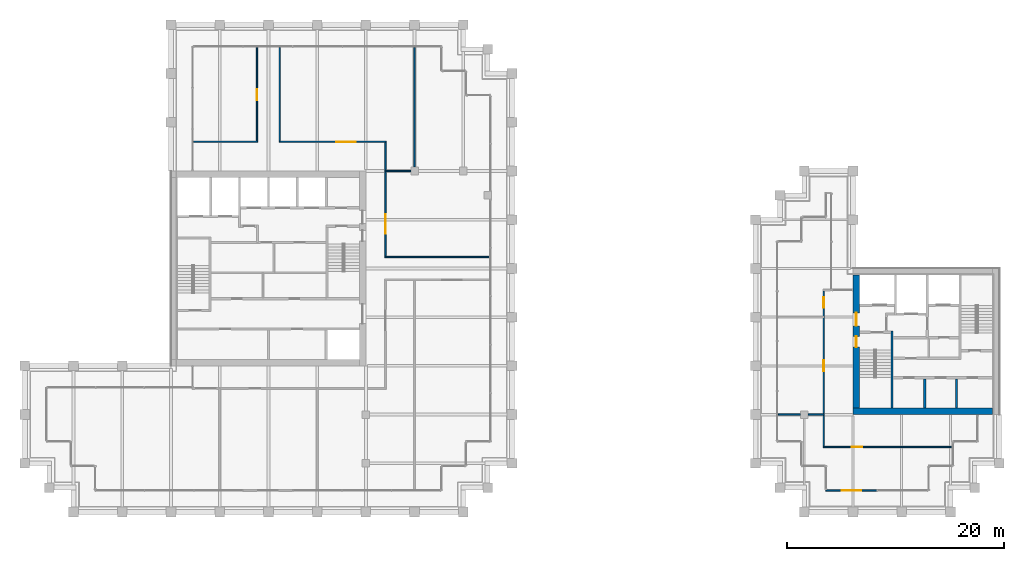
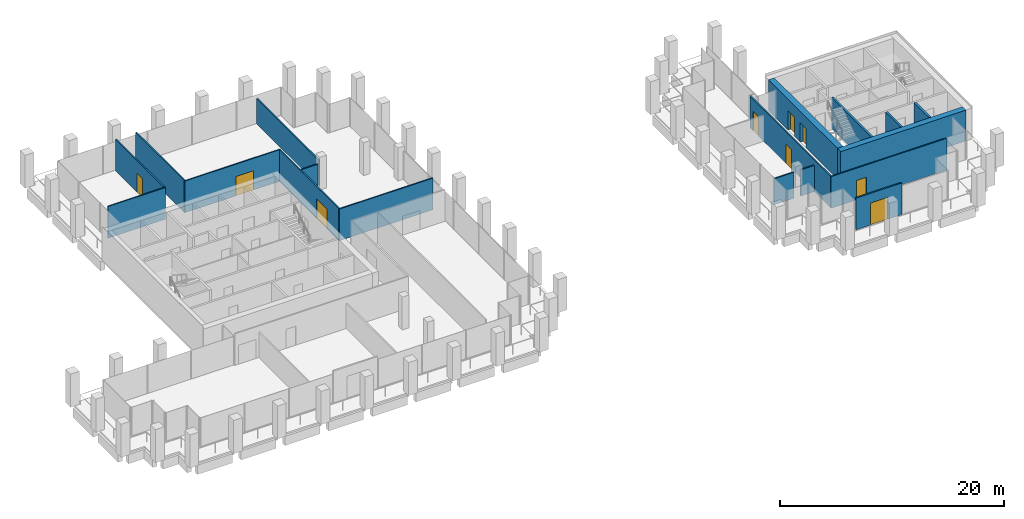
# One storey, part 37 of 40: 18 walls, 9 doors, 9 openings.
"""IFC4 building model written with IfcOpenShell, lengths in metres."""

from ifc_helpers import new_model, si_unit, direction, frame, frame_2d, origin, place, context, subcontext, project, spatial, rectangle, extrude, material, layer, layer_set, type_object, element, fill, save


model = new_model("IFC4")

# Units and contexts
model_context = context("Model", 3, precision=1e-05, world=origin(), true_north=direction((0.0, 1.0)))
body_context = subcontext(model_context, "Body", "Model", "MODEL_VIEW")
ifc_project = project(units=[si_unit("LENGTHUNIT", "METRE"), si_unit("AREAUNIT", "SQUARE_METRE"), si_unit("VOLUMEUNIT", "CUBIC_METRE"), si_unit("PLANEANGLEUNIT", "RADIAN"), si_unit("MASSUNIT", "GRAM", prefix="KILO")], contexts=[model_context])

# Site, building, storey
site_placement = place(None, origin())
site = spatial("IfcSite", under=ifc_project, at=site_placement, CompositionType="ELEMENT")
building_placement = place(site_placement, origin())
building = spatial("IfcBuilding", under=site, at=building_placement, Name="Altepetl Exchange Towers", CompositionType="ELEMENT")
storey_placement = place(building_placement, frame((0.0, 0.0, 158.199951171875)))
storey = spatial("IfcBuildingStorey", under=building, at=storey_placement, Name="L39", CompositionType="ELEMENT", Elevation=158.199951171875)

# Wall
ifc_material_1 = material(Name="Concrete C70/85", Category="concrete")
ifc_layer_1 = layer(ifc_material_1, 0.60009765625)
ifc_layer_set_1 = layer_set([ifc_layer_1], Name="Concrete C70/85")
wall_type_1 = type_object("IfcWallType", Name="Core wall 600 reinforced concrete", PredefinedType="SHEAR", material=ifc_layer_set_1)
wall_1_placement = place(storey_placement, frame((103.5, 36.300048828125, 0.0)))
element("IfcWall", 1, at=wall_1_placement, inside=storey, type_object=wall_type_1, Name="wall:B:L39:K-coreS", PredefinedType="SHEAR", context=body_context, shape_type="SweptSolid", body=[
    extrude(rectangle(XDim=12.89990234375, YDim=0.60009765625, at=frame_2d((6.449951171875, 0.0))), origin(), (0.0, 0.0, 1.0), 3.35009765625),
])

# Wall, openings, doors
wall_2_placement = place(storey_placement, frame((103.800048828125, 36.60009765625, 0.0), z_axis=(0.0, 0.0, 1.0), x_axis=(0.0, 1.0, 0.0)))
wall_2 = element("IfcWall", 2, at=wall_2_placement, inside=storey, type_object=wall_type_1, Name="wall:B:L39:K-coreW", PredefinedType="SHEAR", context=body_context, shape_type="SweptSolid", body=[
    extrude(rectangle(XDim=12.2998046875, YDim=0.60009765625, at=frame_2d((6.14990234375, 0.0))), origin(), (0.0, 0.0, 1.0), 3.35009765625),
])
opening_1_placement = place(wall_2_placement, frame((7.60009765625, 0.0, 0.0)))
opening_1 = element("IfcOpeningElement", 3, at=opening_1_placement, cuts=wall_2, Name="Opening L39.B60", PredefinedType="OPENING", context=body_context, shape_type="SweptSolid", body=[
    extrude(rectangle(XDim=1.199951171875, YDim=2.10009765625, at=frame_2d((0.60009765625, 1.050048828125))), frame((0.0, 0.31005859375, 0.0), z_axis=(0.0, -1.0, 0.0), x_axis=(1.0, 0.0, 0.0)), (0.0, 0.0, 1.0), 0.6201171875),
])
opening_2_placement = place(wall_2_placement, frame((5.625, 0.0, 0.0)))
opening_2 = element("IfcOpeningElement", 4, at=opening_2_placement, cuts=wall_2, Name="Opening L39.B62", PredefinedType="OPENING", context=body_context, shape_type="SweptSolid", body=[
    extrude(rectangle(XDim=1.0, YDim=2.10009765625, at=frame_2d((0.5, 1.050048828125))), frame((0.0, 0.31005859375, 0.0), z_axis=(0.0, -1.0, 0.0), x_axis=(1.0, 0.0, 0.0)), (0.0, 0.0, 1.0), 0.6201171875),
])
ifc_material_2 = material(Name="Steel and timber fire door", Category="steel")
door_type_1 = type_object("IfcDoorType", Name="Fire door 1000 x 2100 stair and lobby", OperationType="SINGLE_SWING_LEFT", PredefinedType="DOOR", material=ifc_material_2)
door_1_placement = place(opening_2_placement, frame((1.0, 0.0, 0.0), x_axis=(-1.0, 0.0, 0.0)))
door_1 = element("IfcDoor", 5, at=door_1_placement, inside=storey, type_object=door_type_1, Name="door:B:L39:K-dS1x", OperationType="SINGLE_SWING_RIGHT", OverallHeight=2.10009765625, OverallWidth=1.0, PredefinedType="DOOR", context=body_context, shape_type="SweptSolid", body=[
    extrude(rectangle(XDim=1.0, YDim=2.10009765625, at=frame_2d((0.5, 1.050048828125))), frame((0.0, 0.02490234375, 0.0), z_axis=(0.0, -1.0, 0.0), x_axis=(1.0, 0.0, 0.0)), (0.0, 0.0, 1.0), 0.050048828125),
])
fill(opening_2, door_1)
door_type_2 = type_object("IfcDoorType", Name="Fire door 1200 x 2100 lobby entry", OperationType="SINGLE_SWING_LEFT", PredefinedType="DOOR", material=ifc_material_2)
door_2_placement = place(opening_1_placement, frame((1.199951171875, 0.0, 0.0), x_axis=(-1.0, 0.0, 0.0)))
door_2 = element("IfcDoor", 6, at=door_2_placement, inside=storey, type_object=door_type_2, Name="door:B:L39:K-dLNW", OperationType="SINGLE_SWING_RIGHT", OverallHeight=2.10009765625, OverallWidth=1.199951171875, PredefinedType="DOOR", context=body_context, shape_type="SweptSolid", body=[
    extrude(rectangle(XDim=1.199951171875, YDim=2.10009765625, at=frame_2d((0.60009765625, 1.050048828125))), frame((0.0, 0.02490234375, 0.0), z_axis=(0.0, -1.0, 0.0), x_axis=(1.0, 0.0, 0.0)), (0.0, 0.0, 1.0), 0.050048828125),
])
fill(opening_1, door_2)

# Wall, opening, door
ifc_material_3 = material(Name="Aluminium composite cladding", Category="aluminium")
ifc_layer_2 = layer(ifc_material_3, 0.14990234375)
ifc_layer_set_2 = layer_set([ifc_layer_2], Name="Aluminium composite cladding")
wall_type_2 = type_object("IfcWallType", Name="Infill wall 150 aluminium panel", PredefinedType="SOLIDWALL", material=ifc_layer_set_2)
wall_3_placement = place(storey_placement, frame((101.0, 29.0, 0.0)))
wall_3 = element("IfcWall", 7, at=wall_3_placement, inside=storey, type_object=wall_type_2, Name="Loggia door bay wall", PredefinedType="SOLIDWALL", context=body_context, shape_type="SweptSolid", body=[
    extrude(rectangle(XDim=4.71240234375, YDim=0.14990234375, at=frame_2d((2.356201171875, 0.0))), origin(), (0.0, 0.0, 1.0), 3.449951171875),
])
opening_3_placement = place(wall_3_placement, frame((1.456298828125, 0.0, 0.0)))
opening_3 = element("IfcOpeningElement", 8, at=opening_3_placement, cuts=wall_3, Name="Opening L39.B90", PredefinedType="OPENING", context=body_context, shape_type="SweptSolid", body=[
    extrude(rectangle(XDim=1.800048828125, YDim=2.39990234375, at=frame_2d((0.89990234375, 1.199951171875))), frame((0.0, 0.0849609375, 0.0), z_axis=(0.0, -1.0, 0.0), x_axis=(1.0, 0.0, 0.0)), (0.0, 0.0, 1.0), 0.169921875),
])
ifc_material_4 = material(Name="Aluminium 6063-T6 and glass", Category="aluminium")
door_type_3 = type_object("IfcDoorType", Name="Glazed door pair 1800x2400", OperationType="DOUBLE_DOOR_DOUBLE_SWING", PredefinedType="NOTDEFINED", material=ifc_material_4)
door_3_placement = place(opening_3_placement, frame((1.800048828125, 0.0, 0.0), x_axis=(-1.0, 0.0, 0.0)))
door_3 = element("IfcDoor", 9, at=door_3_placement, inside=storey, type_object=door_type_3, Name="Loggia door", OperationType="DOUBLE_DOOR_DOUBLE_SWING", OverallHeight=2.39990234375, OverallWidth=1.800048828125, PredefinedType="NOTDEFINED", context=body_context, shape_type="SweptSolid", body=[
    extrude(rectangle(XDim=1.800048828125, YDim=2.39990234375, at=frame_2d((0.89990234375, 1.199951171875))), frame((0.0, 0.02490234375, 0.0), z_axis=(0.0, -1.0, 0.0), x_axis=(1.0, 0.0, 0.0)), (0.0, 0.0, 1.0), 0.050048828125),
])
fill(opening_3, door_3)

# Walls
ifc_material_5 = material(Name="Gypsum board on steel studs", Category="steel")
ifc_layer_3 = layer(ifc_material_5, 0.125)
ifc_layer_set_3 = layer_set([ifc_layer_3], Name="Gypsum board on steel studs")
wall_type_3 = type_object("IfcWallType", Name="Partition 125 gypsum board on steel studs", PredefinedType="PARTITIONING", material=ifc_layer_set_3)
wall_4_placement = place(storey_placement, frame((60.237548828125, 50.550048828125, 0.0)))
element("IfcWall", 10, at=wall_4_placement, inside=storey, type_object=wall_type_3, Name="wall:A:L39:P03", PredefinedType="PARTITIONING", context=body_context, shape_type="SweptSolid", body=[
    extrude(rectangle(XDim=9.662353515625, YDim=0.125, at=frame_2d((4.8310546875, 0.0))), origin(), (0.0, 0.0, 1.0), 3.449951171875),
])
wall_5_placement = place(storey_placement, frame((60.300048828125, 58.5, 0.0)))
element("IfcWall", 11, at=wall_5_placement, inside=storey, type_object=wall_type_3, Name="wall:A:L39:P04", PredefinedType="PARTITIONING", context=body_context, shape_type="SweptSolid", body=[
    extrude(rectangle(XDim=2.349853515625, YDim=0.125, at=frame_2d((1.1748046875, 0.0))), origin(), (0.0, 0.0, 1.0), 2.676025390625),
])
wall_6_placement = place(storey_placement, frame((42.60009765625, 61.199951171875, 0.0)))
element("IfcWall", 12, at=wall_6_placement, inside=storey, type_object=wall_type_3, Name="wall:A:L39:P05", PredefinedType="PARTITIONING", context=body_context, shape_type="SweptSolid", body=[
    extrude(rectangle(XDim=5.912353515625, YDim=0.125, at=frame_2d((2.9560546875, 0.0))), origin(), (0.0, 0.0, 1.0), 3.449951171875),
])

# Wall, opening, door
wall_7_placement = place(storey_placement, frame((50.487548828125, 61.199951171875, 0.0)))
wall_7 = element("IfcWall", 13, at=wall_7_placement, inside=storey, type_object=wall_type_3, Name="wall:A:L39:P06", PredefinedType="PARTITIONING", context=body_context, shape_type="SweptSolid", body=[
    extrude(rectangle(XDim=9.875, YDim=0.125, at=frame_2d((4.9375, 0.0))), origin(), (0.0, 0.0, 1.0), 3.449951171875),
])
opening_4_placement = place(wall_7_placement, frame((5.271484375, 0.0, 0.0)))
opening_4 = element("IfcOpeningElement", 14, at=opening_4_placement, cuts=wall_7, Name="Opening L39.A06", PredefinedType="OPENING", context=body_context, shape_type="SweptSolid", body=[
    extrude(rectangle(XDim=1.800048828125, YDim=2.10009765625, at=frame_2d((0.89990234375, 1.050048828125))), frame((0.0, 0.072509765625, 0.0), z_axis=(0.0, -1.0, 0.0), x_axis=(1.0, 0.0, 0.0)), (0.0, 0.0, 1.0), 0.14501953125),
])
door_type_4 = type_object("IfcDoorType", Name="Fire door 1800 x 2100 double leaf", OperationType="DOUBLE_DOOR_SINGLE_SWING", PredefinedType="DOOR", material=ifc_material_2)
door_4_placement = place(opening_4_placement, origin())
door_4 = element("IfcDoor", 15, at=door_4_placement, inside=storey, type_object=door_type_4, Name="door:A:L39:06", OperationType="DOUBLE_DOOR_SINGLE_SWING", OverallHeight=2.10009765625, OverallWidth=1.800048828125, PredefinedType="DOOR", context=body_context, shape_type="SweptSolid", body=[
    extrude(rectangle(XDim=1.800048828125, YDim=2.10009765625, at=frame_2d((0.89990234375, 1.050048828125))), frame((0.0, 0.02490234375, 0.0), z_axis=(0.0, -1.0, 0.0), x_axis=(1.0, 0.0, 0.0)), (0.0, 0.0, 1.0), 0.050048828125),
])
fill(opening_4, door_4)

wall_8_placement = place(storey_placement, frame((48.449951171875, 61.262451171875, 0.0), z_axis=(0.0, 0.0, 1.0), x_axis=(0.0, 1.0, 0.0)))
wall_8 = element("IfcWall", 16, at=wall_8_placement, inside=storey, type_object=wall_type_3, Name="wall:A:L39:P08", PredefinedType="PARTITIONING", context=body_context, shape_type="SweptSolid", body=[
    extrude(rectangle(XDim=8.637451171875, YDim=0.125, at=frame_2d((4.31884765625, 0.0))), origin(), (0.0, 0.0, 1.0), 3.449951171875),
])
opening_5_placement = place(wall_8_placement, frame((3.78759765625, 0.0, 0.0)))
opening_5 = element("IfcOpeningElement", 17, at=opening_5_placement, cuts=wall_8, Name="Opening L39.A07", PredefinedType="OPENING", context=body_context, shape_type="SweptSolid", body=[
    extrude(rectangle(XDim=1.0, YDim=2.10009765625, at=frame_2d((0.5, 1.050048828125))), frame((0.0, 0.072509765625, 0.0), z_axis=(0.0, -1.0, 0.0), x_axis=(1.0, 0.0, 0.0)), (0.0, 0.0, 1.0), 0.14501953125),
])
door_type_5 = type_object("IfcDoorType", Name="Fire door 1000 x 2100 single leaf", OperationType="SINGLE_SWING_LEFT", PredefinedType="DOOR", material=ifc_material_2)
door_5_placement = place(opening_5_placement, origin())
door_5 = element("IfcDoor", 18, at=door_5_placement, inside=storey, type_object=door_type_5, Name="door:A:L39:07", OperationType="SINGLE_SWING_RIGHT", OverallHeight=2.10009765625, OverallWidth=1.0, PredefinedType="DOOR", context=body_context, shape_type="SweptSolid", body=[
    extrude(rectangle(XDim=1.0, YDim=2.10009765625, at=frame_2d((0.5, 1.050048828125))), frame((0.0, 0.02490234375, 0.0), z_axis=(0.0, -1.0, 0.0), x_axis=(1.0, 0.0, 0.0)), (0.0, 0.0, 1.0), 0.050048828125),
])
fill(opening_5, door_5)

# Wall
wall_9_placement = place(storey_placement, frame((50.550048828125, 61.262451171875, 0.0), z_axis=(0.0, 0.0, 1.0), x_axis=(0.0, 1.0, 0.0)))
element("IfcWall", 19, at=wall_9_placement, inside=storey, type_object=wall_type_3, Name="wall:A:L39:P09", PredefinedType="PARTITIONING", context=body_context, shape_type="SweptSolid", body=[
    extrude(rectangle(XDim=8.637451171875, YDim=0.125, at=frame_2d((4.31884765625, 0.0))), origin(), (0.0, 0.0, 1.0), 3.449951171875),
])

# Wall, opening, door
wall_10_placement = place(storey_placement, frame((60.300048828125, 50.612548828125, 0.0), z_axis=(0.0, 0.0, 1.0), x_axis=(0.0, 1.0, 0.0)))
wall_10 = element("IfcWall", 20, at=wall_10_placement, inside=storey, type_object=wall_type_3, Name="wall:A:L39:P12", PredefinedType="PARTITIONING", context=body_context, shape_type="SweptSolid", body=[
    extrude(rectangle(XDim=10.52490234375, YDim=0.125, at=frame_2d((5.262451171875, 0.0))), origin(), (0.0, 0.0, 1.0), 3.449951171875),
])
opening_6_placement = place(wall_10_placement, frame((2.093505859375, 0.0, 0.0)))
opening_6 = element("IfcOpeningElement", 21, at=opening_6_placement, cuts=wall_10, Name="Opening L39.A05", PredefinedType="OPENING", context=body_context, shape_type="SweptSolid", body=[
    extrude(rectangle(XDim=1.800048828125, YDim=2.10009765625, at=frame_2d((0.89990234375, 1.050048828125))), frame((0.0, 0.072509765625, 0.0), z_axis=(0.0, -1.0, 0.0), x_axis=(1.0, 0.0, 0.0)), (0.0, 0.0, 1.0), 0.14501953125),
])
door_6_placement = place(opening_6_placement, frame((1.800048828125, 0.0, 0.0), x_axis=(-1.0, 0.0, 0.0)))
door_6 = element("IfcDoor", 22, at=door_6_placement, inside=storey, type_object=door_type_4, Name="door:A:L39:05", OperationType="DOUBLE_DOOR_SINGLE_SWING", OverallHeight=2.10009765625, OverallWidth=1.800048828125, PredefinedType="DOOR", context=body_context, shape_type="SweptSolid", body=[
    extrude(rectangle(XDim=1.800048828125, YDim=2.10009765625, at=frame_2d((0.89990234375, 1.050048828125))), frame((0.0, 0.02490234375, 0.0), z_axis=(0.0, -1.0, 0.0), x_axis=(1.0, 0.0, 0.0)), (0.0, 0.0, 1.0), 0.050048828125),
])
fill(opening_6, door_6)

# Wall
wall_11_placement = place(storey_placement, frame((63.0, 58.85009765625, 0.0), z_axis=(0.0, 0.0, 1.0), x_axis=(0.0, 1.0, 0.0)))
element("IfcWall", 23, at=wall_11_placement, inside=storey, type_object=wall_type_3, Name="wall:A:L39:P14", PredefinedType="PARTITIONING", context=body_context, shape_type="SweptSolid", body=[
    extrude(rectangle(XDim=11.0498046875, YDim=0.125, at=frame_2d((5.52490234375, 0.0))), origin(), (0.0, 0.0, 1.0), 2.76611328125),
])

# Wall, opening, door
wall_12_placement = place(storey_placement, frame((100.737548828125, 33.0, 0.0)))
wall_12 = element("IfcWall", 24, at=wall_12_placement, inside=storey, type_object=wall_type_3, Name="wall:B:L39:P01", PredefinedType="PARTITIONING", context=body_context, shape_type="SweptSolid", body=[
    extrude(rectangle(XDim=11.912353515625, YDim=0.125, at=frame_2d((5.9560546875, 0.0))), origin(), (0.0, 0.0, 1.0), 3.449951171875),
])
opening_7_placement = place(wall_12_placement, frame((2.639404296875, 0.0, 0.0)))
opening_7 = element("IfcOpeningElement", 25, at=opening_7_placement, cuts=wall_12, Name="Opening L39.B02", PredefinedType="OPENING", context=body_context, shape_type="SweptSolid", body=[
    extrude(rectangle(XDim=1.0, YDim=2.10009765625, at=frame_2d((0.5, 1.050048828125))), frame((0.0, 0.072509765625, 0.0), z_axis=(0.0, -1.0, 0.0), x_axis=(1.0, 0.0, 0.0)), (0.0, 0.0, 1.0), 0.14501953125),
])
door_7_placement = place(opening_7_placement, frame((1.0, 0.0, 0.0), x_axis=(-1.0, 0.0, 0.0)))
door_7 = element("IfcDoor", 26, at=door_7_placement, inside=storey, type_object=door_type_5, Name="door:B:L39:02", OperationType="SINGLE_SWING_LEFT", OverallHeight=2.10009765625, OverallWidth=1.0, PredefinedType="DOOR", context=body_context, shape_type="SweptSolid", body=[
    extrude(rectangle(XDim=1.0, YDim=2.10009765625, at=frame_2d((0.5, 1.050048828125))), frame((0.0, 0.02490234375, 0.0), z_axis=(0.0, -1.0, 0.0), x_axis=(1.0, 0.0, 0.0)), (0.0, 0.0, 1.0), 0.050048828125),
])
fill(opening_7, door_7)

# Walls
wall_13_placement = place(storey_placement, frame((96.60009765625, 36.0, 0.0)))
element("IfcWall", 27, at=wall_13_placement, inside=storey, type_object=wall_type_3, Name="wall:B:L39:P02", PredefinedType="PARTITIONING", context=body_context, shape_type="SweptSolid", body=[
    extrude(rectangle(XDim=2.0498046875, YDim=0.125, at=frame_2d((1.02490234375, 0.0))), origin(), (0.0, 0.0, 1.0), 2.842041015625),
])
wall_14_placement = place(storey_placement, frame((99.35009765625, 36.0, 0.0)))
element("IfcWall", 28, at=wall_14_placement, inside=storey, type_object=wall_type_3, Name="wall:B:L39:P03", PredefinedType="PARTITIONING", context=body_context, shape_type="SweptSolid", body=[
    extrude(rectangle(XDim=1.449951171875, YDim=0.125, at=frame_2d((0.72509765625, 0.0))), origin(), (0.0, 0.0, 1.0), 2.842041015625),
])

# Wall, openings, doors
wall_15_placement = place(storey_placement, frame((100.800048828125, 33.0625, 0.0), z_axis=(0.0, 0.0, 1.0), x_axis=(0.0, 1.0, 0.0)))
wall_15 = element("IfcWall", 29, at=wall_15_placement, inside=storey, type_object=wall_type_3, Name="wall:B:L39:P06", PredefinedType="PARTITIONING", context=body_context, shape_type="SweptSolid", body=[
    extrude(rectangle(XDim=14.375, YDim=0.125, at=frame_2d((7.1875, 0.0))), origin(), (0.0, 0.0, 1.0), 3.449951171875),
])
opening_8_placement = place(wall_15_placement, frame((6.9375, 0.0, 0.0)))
opening_8 = element("IfcOpeningElement", 30, at=opening_8_placement, cuts=wall_15, Name="Opening L39.B01", PredefinedType="OPENING", context=body_context, shape_type="SweptSolid", body=[
    extrude(rectangle(XDim=1.0, YDim=2.10009765625, at=frame_2d((0.5, 1.050048828125))), frame((0.0, 0.072509765625, 0.0), z_axis=(0.0, -1.0, 0.0), x_axis=(1.0, 0.0, 0.0)), (0.0, 0.0, 1.0), 0.14501953125),
])
opening_9_placement = place(wall_15_placement, frame((12.79248046875, 0.0, 0.0)))
opening_9 = element("IfcOpeningElement", 31, at=opening_9_placement, cuts=wall_15, Name="Opening L39.B03", PredefinedType="OPENING", context=body_context, shape_type="SweptSolid", body=[
    extrude(rectangle(XDim=1.0, YDim=2.10009765625, at=frame_2d((0.5, 1.050048828125))), frame((0.0, 0.072509765625, 0.0), z_axis=(0.0, -1.0, 0.0), x_axis=(1.0, 0.0, 0.0)), (0.0, 0.0, 1.0), 0.14501953125),
])
door_8_placement = place(opening_8_placement, origin())
door_8 = element("IfcDoor", 32, at=door_8_placement, inside=storey, type_object=door_type_5, Name="door:B:L39:01", OperationType="SINGLE_SWING_RIGHT", OverallHeight=2.10009765625, OverallWidth=1.0, PredefinedType="DOOR", context=body_context, shape_type="SweptSolid", body=[
    extrude(rectangle(XDim=1.0, YDim=2.10009765625, at=frame_2d((0.5, 1.050048828125))), frame((0.0, 0.02490234375, 0.0), z_axis=(0.0, -1.0, 0.0), x_axis=(1.0, 0.0, 0.0)), (0.0, 0.0, 1.0), 0.050048828125),
])
fill(opening_8, door_8)
door_9_placement = place(opening_9_placement, origin())
door_9 = element("IfcDoor", 33, at=door_9_placement, inside=storey, type_object=door_type_5, Name="door:B:L39:03", OperationType="SINGLE_SWING_RIGHT", OverallHeight=2.10009765625, OverallWidth=1.0, PredefinedType="DOOR", context=body_context, shape_type="SweptSolid", body=[
    extrude(rectangle(XDim=1.0, YDim=2.10009765625, at=frame_2d((0.5, 1.050048828125))), frame((0.0, 0.02490234375, 0.0), z_axis=(0.0, -1.0, 0.0), x_axis=(1.0, 0.0, 0.0)), (0.0, 0.0, 1.0), 0.050048828125),
])
fill(opening_9, door_9)

# Walls
ifc_layer_4 = layer(ifc_material_1, 0.199951171875)
ifc_layer_set_4 = layer_set([ifc_layer_4], Name="Concrete C70/85")
wall_type_4 = type_object("IfcWallType", Name="Shear wall 200 reinforced concrete", PredefinedType="SHEAR", material=ifc_layer_set_4)
for number, where, z_axis, x_axis, name in (
    (34, (110.13330078125, 36.60009765625, 0.0), (0.0, 0.0, 1.0), (0.0, 1.0, 0.0), "wall:B:L39:K-divS1"),
    (35, (113.066650390625, 36.60009765625, 0.0), (0.0, 0.0, 1.0), (0.0, 1.0, 0.0), "wall:B:L39:K-divS2"),
):
    element("IfcWall", number, at=place(storey_placement, frame(where, z_axis=z_axis, x_axis=x_axis)), inside=storey, type_object=wall_type_4, Name=name, PredefinedType="SHEAR", context=body_context, shape_type="SweptSolid", body=[
        extrude(rectangle(XDim=2.699951171875, YDim=0.199951171875, at=frame_2d((1.35009765625, 0.0))), origin(), (0.0, 0.0, 1.0), 3.35009765625),
    ])
ifc_material_6 = material(Name="Concrete C40/50", Category="concrete")
ifc_layer_5 = layer(ifc_material_6, 0.199951171875)
ifc_layer_set_5 = layer_set([ifc_layer_5], Name="Concrete C40/50")
wall_type_5 = type_object("IfcWallType", Name="Stair wall 200 reinforced concrete", PredefinedType="SHEAR", material=ifc_layer_set_5)
wall_16_placement = place(storey_placement, frame((107.10009765625, 36.60009765625, 0.0), z_axis=(0.0, 0.0, 1.0), x_axis=(0.0, 1.0, 0.0)))
element("IfcWall", 36, at=wall_16_placement, inside=storey, type_object=wall_type_5, Name="wall:B:L39:K-stS1E", PredefinedType="SHEAR", context=body_context, shape_type="SweptSolid", body=[
    extrude(rectangle(XDim=7.099853515625, YDim=0.199951171875, at=frame_2d((3.5498046875, 0.0))), origin(), (0.0, 0.0, 1.0), 3.35009765625),
])

save(model, "model.ifc")
